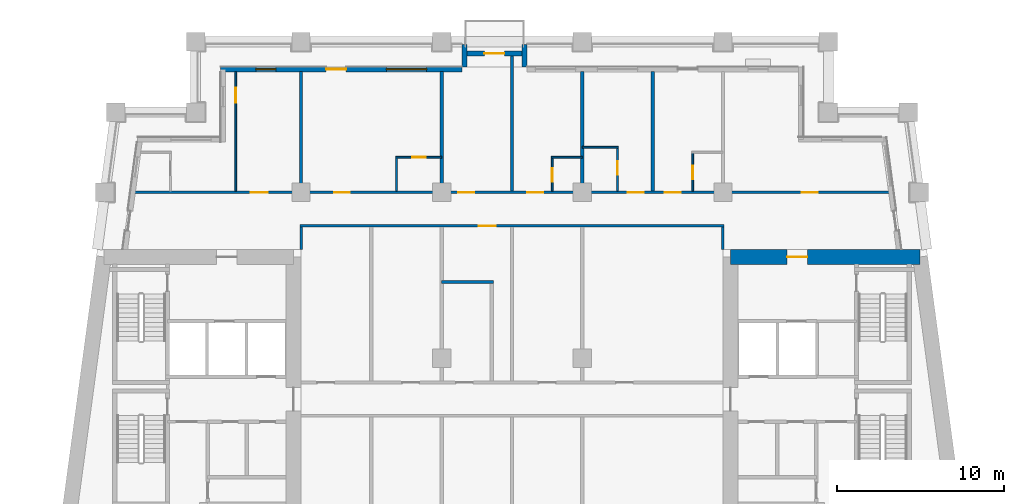
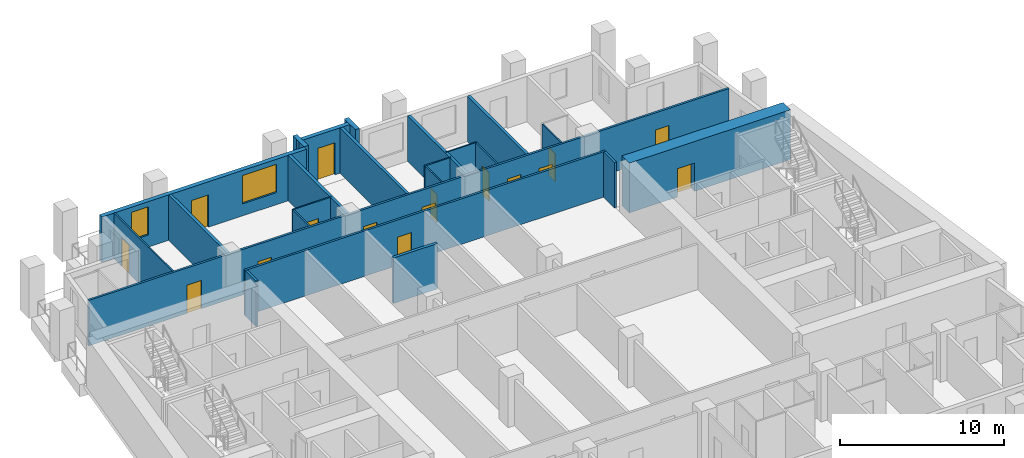
# One storey, part 7 of 13: 23 walls, 16 doors, 2 windows, 18 openings.
"""IFC4 building model written with IfcOpenShell, lengths in metres."""

from ifc_helpers import new_model, si_unit, direction, frame, frame_2d, origin, place, context, subcontext, project, spatial, rectangle, extrude, material, layer, layer_set, type_object, element, fill, save


model = new_model("IFC4")

# Units and contexts
model_context = context("Model", 3, precision=1e-05, world=origin(), true_north=direction((0.0, 1.0)))
body_context = subcontext(model_context, "Body", "Model", "MODEL_VIEW")
ifc_project = project(units=[si_unit("LENGTHUNIT", "METRE"), si_unit("AREAUNIT", "SQUARE_METRE"), si_unit("VOLUMEUNIT", "CUBIC_METRE"), si_unit("PLANEANGLEUNIT", "RADIAN"), si_unit("MASSUNIT", "GRAM", prefix="KILO")], contexts=[model_context])

# Site, building, storey
site_placement = place(None, origin())
site = spatial("IfcSite", under=ifc_project, at=site_placement, CompositionType="ELEMENT")
building_placement = place(site_placement, origin())
building = spatial("IfcBuilding", under=site, at=building_placement, Name="Candeia Pilgrim Tower and Theatre", CompositionType="ELEMENT")
storey_placement = place(building_placement, frame((0.0, 0.0, 177.39990234375)))
storey = spatial("IfcBuildingStorey", under=building, at=storey_placement, Name="L42", CompositionType="ELEMENT", Elevation=177.39990234375)

# Wall, opening, door
ifc_material_1 = material(Name="Concrete C60/75", Category="concrete")
ifc_layer_1 = layer(ifc_material_1, 0.89990234375)
ifc_layer_set_1 = layer_set([ifc_layer_1], Name="Core wall 900 C60/75")
wall_type_1 = type_object("IfcWallType", Name="Core wall 900 C60/75", PredefinedType="SHEAR", material=ifc_layer_set_1)
wall_1_placement = place(storey_placement, frame((126.449951171875, 131.949951171875, 0.0), z_axis=(0.0, 0.0, 1.0), x_axis=(1.0, 0.0, 0.0)))
wall_1 = element("IfcWall", 1, at=wall_1_placement, inside=storey, type_object=wall_type_1, Name="Core wall E1", PredefinedType="SHEAR", context=body_context, shape_type="SweptSolid", body=[
    extrude(rectangle(XDim=11.32568359375, YDim=0.89990234375, at=frame_2d((5.662841796875, 0.0))), origin(), (0.0, 0.0, 1.0), 3.7001953125),
])
opening_1_placement = place(wall_1_placement, frame((3.386474609375, 0.0, 0.0)))
opening_1 = element("IfcOpeningElement", 2, at=opening_1_placement, cuts=wall_1, Name="Opening L42-D066", PredefinedType="OPENING", context=body_context, shape_type="SweptSolid", body=[
    extrude(rectangle(XDim=1.199951171875, YDim=2.10009765625, at=frame_2d((0.60009765625, 1.050048828125))), frame((0.0, 0.4599609375, 0.0), z_axis=(0.0, -1.0, 0.0), x_axis=(1.0, 0.0, 0.0)), (0.0, 0.0, 1.0), 0.919921875),
])
ifc_material_2 = material(Name="Steel fire door set", Category="steel")
door_type_1 = type_object("IfcDoorType", Name="D-1200-FD60", OperationType="NOTDEFINED", PredefinedType="DOOR", material=ifc_material_2)
door_1_placement = place(opening_1_placement, origin())
door_1 = element("IfcDoor", 3, at=door_1_placement, inside=storey, type_object=door_type_1, Name="Door L42-D066", OperationType="SINGLE_SWING_RIGHT", OverallHeight=2.10009765625, OverallWidth=1.199951171875, PredefinedType="DOOR", context=body_context, shape_type="SweptSolid", body=[
    extrude(rectangle(XDim=1.199951171875, YDim=2.10009765625, at=frame_2d((0.60009765625, 1.050048828125))), frame((0.0, 0.02490234375, 0.0), z_axis=(0.0, -1.0, 0.0), x_axis=(1.0, 0.0, 0.0)), (0.0, 0.0, 1.0), 0.050048828125),
])
fill(opening_1, door_1)

# Wall, openings, door, windows
ifc_material_3 = material(Name="Ceramic block masonry", Category="masonry")
ifc_layer_2 = layer(ifc_material_3, 0.300048828125)
ifc_layer_set_2 = layer_set([ifc_layer_2], Name="EW1 glazing-line wall 300")
wall_type_2 = type_object("IfcWallType", Name="EW1 glazing-line wall 300", PredefinedType="SOLIDWALL", material=ifc_layer_set_2)
wall_2_placement = place(storey_placement, frame((110.39990234375, 143.14990234375, 0.0), z_axis=(0.0, 0.0, 1.0), x_axis=(-1.0, 0.0, 0.0)))
wall_2 = element("IfcWall", 4, at=wall_2_placement, inside=storey, type_object=wall_type_2, Name="External wall L42-6.1", PredefinedType="SOLIDWALL", context=body_context, shape_type="SweptSolid", body=[
    extrude(rectangle(XDim=14.39990234375, YDim=0.300048828125, at=frame_2d((7.199951171875, 0.0))), origin(), (0.0, 0.0, 1.0), 3.380126953125),
])
opening_2_placement = place(wall_2_placement, frame((2.10009765625, 0.0, 0.89990234375)))
opening_2 = element("IfcOpeningElement", 5, at=opening_2_placement, cuts=wall_2, Name="Opening W-A", PredefinedType="OPENING", context=body_context, shape_type="SweptSolid", body=[
    extrude(rectangle(XDim=2.39990234375, YDim=2.10009765625, at=frame_2d((1.199951171875, 1.050048828125))), frame((0.0, 0.16015625, 0.0), z_axis=(0.0, -1.0, 0.0), x_axis=(1.0, 0.0, 0.0)), (0.0, 0.0, 1.0), 0.320068359375),
])
opening_3_placement = place(wall_2_placement, frame((6.89990234375, 0.0, 0.0)))
opening_3 = element("IfcOpeningElement", 6, at=opening_3_placement, cuts=wall_2, Name="Opening L42-ED406", PredefinedType="OPENING", context=body_context, shape_type="SweptSolid", body=[
    extrude(rectangle(XDim=1.199951171875, YDim=2.39990234375, at=frame_2d((0.60009765625, 1.199951171875))), frame((0.0, 0.16015625, 0.0), z_axis=(0.0, -1.0, 0.0), x_axis=(1.0, 0.0, 0.0)), (0.0, 0.0, 1.0), 0.320068359375),
])
opening_4_placement = place(wall_2_placement, frame((11.10009765625, 0.0, 0.89990234375)))
opening_4 = element("IfcOpeningElement", 7, at=opening_4_placement, cuts=wall_2, Name="Opening W-B", PredefinedType="OPENING", context=body_context, shape_type="SweptSolid", body=[
    extrude(rectangle(XDim=1.199951171875, YDim=2.10009765625, at=frame_2d((0.60009765625, 1.050048828125))), frame((0.0, 0.16015625, 0.0), z_axis=(0.0, -1.0, 0.0), x_axis=(1.0, 0.0, 0.0)), (0.0, 0.0, 1.0), 0.320068359375),
])
ifc_material_4 = material(Name="Aluminium framed glazed door", Category="aluminium")
door_type_2 = type_object("IfcDoorType", Name="Loggia door 1200x2400", OperationType="DOUBLE_DOOR_SINGLE_SWING", PredefinedType="DOOR", material=ifc_material_4)
door_2_placement = place(opening_3_placement, origin())
door_2 = element("IfcDoor", 8, at=door_2_placement, inside=storey, type_object=door_type_2, Name="Loggia door L42-ED406", OperationType="DOUBLE_DOOR_SINGLE_SWING", OverallHeight=2.39990234375, OverallWidth=1.199951171875, PredefinedType="DOOR", context=body_context, shape_type="SweptSolid", body=[
    extrude(rectangle(XDim=1.199951171875, YDim=2.39990234375, at=frame_2d((0.60009765625, 1.199951171875))), frame((0.0, 0.02490234375, 0.0), z_axis=(0.0, -1.0, 0.0), x_axis=(1.0, 0.0, 0.0)), (0.0, 0.0, 1.0), 0.050048828125),
])
fill(opening_3, door_2)
ifc_material_5 = material(Name="Aluminium framed double glazing", Category="aluminium")
window_type_1 = type_object("IfcWindowType", Name="W-A window 2400x2100", PartitioningType="DOUBLE_PANEL_VERTICAL", PredefinedType="WINDOW", material=ifc_material_5)
window_1_placement = place(opening_2_placement, origin())
window_1 = element("IfcWindow", 9, at=window_1_placement, inside=storey, type_object=window_type_1, Name="Window W-A L42", OverallHeight=2.10009765625, OverallWidth=2.39990234375, PartitioningType="SINGLE_PANEL", PredefinedType="WINDOW", context=body_context, shape_type="SweptSolid", body=[
    extrude(rectangle(XDim=2.39990234375, YDim=2.10009765625, at=frame_2d((1.199951171875, 1.050048828125))), frame((0.0, 0.030029296875, 0.0), z_axis=(0.0, -1.0, 0.0), x_axis=(1.0, 0.0, 0.0)), (0.0, 0.0, 1.0), 0.06005859375),
])
fill(opening_2, window_1)
window_type_2 = type_object("IfcWindowType", Name="W-B window 1200x2100", PartitioningType="SINGLE_PANEL", PredefinedType="WINDOW", material=ifc_material_5)
window_2_placement = place(opening_4_placement, origin())
window_2 = element("IfcWindow", 10, at=window_2_placement, inside=storey, type_object=window_type_2, Name="Window W-B L42", OverallHeight=2.10009765625, OverallWidth=1.199951171875, PartitioningType="SINGLE_PANEL", PredefinedType="WINDOW", context=body_context, shape_type="SweptSolid", body=[
    extrude(rectangle(XDim=1.199951171875, YDim=2.10009765625, at=frame_2d((0.60009765625, 1.050048828125))), frame((0.0, 0.030029296875, 0.0), z_axis=(0.0, -1.0, 0.0), x_axis=(1.0, 0.0, 0.0)), (0.0, 0.0, 1.0), 0.06005859375),
])
fill(opening_4, window_2)

# Walls
ifc_layer_3 = layer(ifc_material_3, 0.300048828125)
ifc_layer_set_3 = layer_set([ifc_layer_3], Name="EW2 entrance infill wall 300")
wall_type_3 = type_object("IfcWallType", Name="EW2 entrance infill wall 300", PredefinedType="SOLIDWALL", material=ifc_layer_set_3)
for number, where, z_axis, x_axis, name in (
    (11, (114.14990234375, 143.300048828125, 0.0), (0.0, 0.0, 1.0), (0.0, 1.0, 0.0), "Alcove wall L42"),
    (12, (110.550048828125, 143.300048828125, 0.0), (0.0, 0.0, 1.0), (0.0, 1.0, 0.0), "Alcove wall L42"),
):
    element("IfcWall", number, at=place(storey_placement, frame(where, z_axis=z_axis, x_axis=x_axis)), inside=storey, type_object=wall_type_3, Name=name, PredefinedType="SOLIDWALL", context=body_context, shape_type="SweptSolid", body=[
        extrude(rectangle(XDim=1.349853515625, YDim=0.300048828125, at=frame_2d((0.6748046875, 0.0))), origin(), (0.0, 0.0, 1.0), 3.380126953125),
    ])

# Wall, opening, door
wall_3_placement = place(storey_placement, frame((114.300048828125, 144.10009765625, 0.0), z_axis=(0.0, 0.0, 1.0), x_axis=(-1.0, 0.0, 0.0)))
wall_3 = element("IfcWall", 13, at=wall_3_placement, inside=storey, type_object=wall_type_3, Name="Alcove wall L42", PredefinedType="SOLIDWALL", context=body_context, shape_type="SweptSolid", body=[
    extrude(rectangle(XDim=3.900146484375, YDim=0.300048828125, at=frame_2d((1.9501953125, 0.0))), origin(), (0.0, 0.0, 1.0), 3.380126953125),
])
opening_5_placement = place(wall_3_placement, frame((1.35009765625, 0.0, 0.0)))
opening_5 = element("IfcOpeningElement", 14, at=opening_5_placement, cuts=wall_3, Name="Opening L42-ED407", PredefinedType="OPENING", context=body_context, shape_type="SweptSolid", body=[
    extrude(rectangle(XDim=1.199951171875, YDim=2.39990234375, at=frame_2d((0.60009765625, 1.199951171875))), frame((0.0, 0.16015625, 0.0), z_axis=(0.0, -1.0, 0.0), x_axis=(1.0, 0.0, 0.0)), (0.0, 0.0, 1.0), 0.320068359375),
])
door_3_placement = place(opening_5_placement, origin())
door_3 = element("IfcDoor", 15, at=door_3_placement, inside=storey, type_object=door_type_2, Name="Balcony door L42-ED407", OperationType="DOUBLE_DOOR_SINGLE_SWING", OverallHeight=2.39990234375, OverallWidth=1.199951171875, PredefinedType="DOOR", context=body_context, shape_type="SweptSolid", body=[
    extrude(rectangle(XDim=1.199951171875, YDim=2.39990234375, at=frame_2d((0.60009765625, 1.199951171875))), frame((0.0, 0.02490234375, 0.0), z_axis=(0.0, -1.0, 0.0), x_axis=(1.0, 0.0, 0.0)), (0.0, 0.0, 1.0), 0.050048828125),
])
fill(opening_5, door_3)

ifc_material_6 = material(Name="Gypsum board partition on steel studs", Category="steel")
ifc_layer_4 = layer(ifc_material_6, 0.10009765625)
ifc_layer_set_4 = layer_set([ifc_layer_4], Name="PW-100 room partition")
wall_type_4 = type_object("IfcWallType", Name="PW-100 room partition", PredefinedType="PARTITIONING", material=ifc_layer_set_4)
wall_4_placement = place(storey_placement, frame((106.449951171875, 137.89990234375, 0.0), z_axis=(0.0, 0.0, 1.0), x_axis=(1.0, 0.0, 0.0)))
wall_4 = element("IfcWall", 16, at=wall_4_placement, inside=storey, type_object=wall_type_4, Name="Room partition L42-046", PredefinedType="PARTITIONING", context=body_context, shape_type="SweptSolid", body=[
    extrude(rectangle(XDim=2.75, YDim=0.10009765625, at=frame_2d((1.375, 0.0))), origin(), (0.0, 0.0, 1.0), 3.380126953125),
])
opening_6_placement = place(wall_4_placement, frame((1.0, 0.0, 0.0)))
opening_6 = element("IfcOpeningElement", 17, at=opening_6_placement, cuts=wall_4, Name="Opening L42-D042", PredefinedType="OPENING", context=body_context, shape_type="SweptSolid", body=[
    extrude(rectangle(XDim=0.800048828125, YDim=2.10009765625, at=frame_2d((0.39990234375, 1.050048828125))), frame((0.0, 0.06005859375, 0.0), z_axis=(0.0, -1.0, 0.0), x_axis=(1.0, 0.0, 0.0)), (0.0, 0.0, 1.0), 0.1201171875),
])
ifc_material_7 = material(Name="Timber door leaf", Category="wood")
door_type_3 = type_object("IfcDoorType", Name="D-800", OperationType="NOTDEFINED", PredefinedType="DOOR", material=ifc_material_7)
door_4_placement = place(opening_6_placement, origin())
door_4 = element("IfcDoor", 18, at=door_4_placement, inside=storey, type_object=door_type_3, Name="Door L42-D042", OperationType="SINGLE_SWING_RIGHT", OverallHeight=2.10009765625, OverallWidth=0.800048828125, PredefinedType="DOOR", context=body_context, shape_type="SweptSolid", body=[
    extrude(rectangle(XDim=0.800048828125, YDim=2.10009765625, at=frame_2d((0.39990234375, 1.050048828125))), frame((0.0, 0.02490234375, 0.0), z_axis=(0.0, -1.0, 0.0), x_axis=(1.0, 0.0, 0.0)), (0.0, 0.0, 1.0), 0.050048828125),
])
fill(opening_6, door_4)

# Walls
wall_5_placement = place(storey_placement, frame((115.75, 137.89990234375, 0.0), z_axis=(0.0, 0.0, 1.0), x_axis=(1.0, 0.0, 0.0)))
element("IfcWall", 19, at=wall_5_placement, inside=storey, type_object=wall_type_4, Name="Room partition L42-047", PredefinedType="PARTITIONING", context=body_context, shape_type="SweptSolid", body=[
    extrude(rectangle(XDim=1.85009765625, YDim=0.10009765625, at=frame_2d((0.925048828125, 0.0))), origin(), (0.0, 0.0, 1.0), 3.380126953125),
])
wall_6_placement = place(storey_placement, frame((117.60009765625, 138.5, 0.0), z_axis=(0.0, 0.0, 1.0), x_axis=(1.0, 0.0, 0.0)))
element("IfcWall", 20, at=wall_6_placement, inside=storey, type_object=wall_type_4, Name="Room partition L42-050", PredefinedType="PARTITIONING", context=body_context, shape_type="SweptSolid", body=[
    extrude(rectangle(XDim=2.14990234375, YDim=0.10009765625, at=frame_2d((1.074951171875, 0.0))), origin(), (0.0, 0.0, 1.0), 3.380126953125),
])

# Wall, opening, door
wall_7_placement = place(storey_placement, frame((96.89990234375, 135.875, 0.0), z_axis=(0.0, 0.0, 1.0), x_axis=(0.0, 1.0, 0.0)))
wall_7 = element("IfcWall", 21, at=wall_7_placement, inside=storey, type_object=wall_type_4, Name="Room partition L42-070", PredefinedType="PARTITIONING", context=body_context, shape_type="SweptSolid", body=[
    extrude(rectangle(XDim=7.135009765625, YDim=0.10009765625, at=frame_2d((3.5673828125, 0.0))), origin(), (0.0, 0.0, 1.0), 3.380126953125),
])
opening_7_placement = place(wall_7_placement, frame((5.2900390625, 0.0, 0.0)))
opening_7 = element("IfcOpeningElement", 22, at=opening_7_placement, cuts=wall_7, Name="Opening L42-D039", PredefinedType="OPENING", context=body_context, shape_type="SweptSolid", body=[
    extrude(rectangle(XDim=0.89990234375, YDim=2.10009765625, at=frame_2d((0.449951171875, 1.050048828125))), frame((0.0, 0.06005859375, 0.0), z_axis=(0.0, -1.0, 0.0), x_axis=(1.0, 0.0, 0.0)), (0.0, 0.0, 1.0), 0.1201171875),
])
door_type_4 = type_object("IfcDoorType", Name="D-900", OperationType="NOTDEFINED", PredefinedType="DOOR", material=ifc_material_7)
door_5_placement = place(opening_7_placement, origin())
door_5 = element("IfcDoor", 23, at=door_5_placement, inside=storey, type_object=door_type_4, Name="Door L42-D039", OperationType="SINGLE_SWING_LEFT", OverallHeight=2.10009765625, OverallWidth=0.89990234375, PredefinedType="DOOR", context=body_context, shape_type="SweptSolid", body=[
    extrude(rectangle(XDim=0.89990234375, YDim=2.10009765625, at=frame_2d((0.449951171875, 1.050048828125))), frame((0.0, 0.02490234375, 0.0), z_axis=(0.0, -1.0, 0.0), x_axis=(1.0, 0.0, 0.0)), (0.0, 0.0, 1.0), 0.050048828125),
])
fill(opening_7, door_5)

# Wall
wall_8_placement = place(storey_placement, frame((106.5, 135.875, 0.0), z_axis=(0.0, 0.0, 1.0), x_axis=(0.0, 1.0, 0.0)))
element("IfcWall", 24, at=wall_8_placement, inside=storey, type_object=wall_type_4, Name="Room partition L42-084", PredefinedType="PARTITIONING", context=body_context, shape_type="SweptSolid", body=[
    extrude(rectangle(XDim=1.97509765625, YDim=0.10009765625, at=frame_2d((0.987548828125, 0.0))), origin(), (0.0, 0.0, 1.0), 3.380126953125),
])

# Wall, opening, door
wall_9_placement = place(storey_placement, frame((115.800048828125, 135.875, 0.0), z_axis=(0.0, 0.0, 1.0), x_axis=(0.0, 1.0, 0.0)))
wall_9 = element("IfcWall", 25, at=wall_9_placement, inside=storey, type_object=wall_type_4, Name="Room partition L42-093", PredefinedType="PARTITIONING", context=body_context, shape_type="SweptSolid", body=[
    extrude(rectangle(XDim=1.97509765625, YDim=0.10009765625, at=frame_2d((0.987548828125, 0.0))), origin(), (0.0, 0.0, 1.0), 3.380126953125),
])
opening_8_placement = place(wall_9_placement, frame((0.574951171875, 0.0, 0.0)))
opening_8 = element("IfcOpeningElement", 26, at=opening_8_placement, cuts=wall_9, Name="Opening L42-D045", PredefinedType="OPENING", context=body_context, shape_type="SweptSolid", body=[
    extrude(rectangle(XDim=0.800048828125, YDim=2.10009765625, at=frame_2d((0.39990234375, 1.050048828125))), frame((0.0, 0.06005859375, 0.0), z_axis=(0.0, -1.0, 0.0), x_axis=(1.0, 0.0, 0.0)), (0.0, 0.0, 1.0), 0.1201171875),
])
door_6_placement = place(opening_8_placement, origin())
door_6 = element("IfcDoor", 27, at=door_6_placement, inside=storey, type_object=door_type_3, Name="Door L42-D045", OperationType="SINGLE_SWING_LEFT", OverallHeight=2.10009765625, OverallWidth=0.800048828125, PredefinedType="DOOR", context=body_context, shape_type="SweptSolid", body=[
    extrude(rectangle(XDim=0.800048828125, YDim=2.10009765625, at=frame_2d((0.39990234375, 1.050048828125))), frame((0.0, 0.02490234375, 0.0), z_axis=(0.0, -1.0, 0.0), x_axis=(1.0, 0.0, 0.0)), (0.0, 0.0, 1.0), 0.050048828125),
])
fill(opening_8, door_6)

wall_10_placement = place(storey_placement, frame((119.699951171875, 135.875, 0.0), z_axis=(0.0, 0.0, 1.0), x_axis=(0.0, 1.0, 0.0)))
wall_10 = element("IfcWall", 28, at=wall_10_placement, inside=storey, type_object=wall_type_4, Name="Room partition L42-099", PredefinedType="PARTITIONING", context=body_context, shape_type="SweptSolid", body=[
    extrude(rectangle(XDim=2.574951171875, YDim=0.10009765625, at=frame_2d((1.28759765625, 0.0))), origin(), (0.0, 0.0, 1.0), 3.380126953125),
])
opening_9_placement = place(wall_10_placement, frame((0.9951171875, 0.0, 0.0)))
opening_9 = element("IfcOpeningElement", 29, at=opening_9_placement, cuts=wall_10, Name="Opening L42-D047", PredefinedType="OPENING", context=body_context, shape_type="SweptSolid", body=[
    extrude(rectangle(XDim=0.800048828125, YDim=2.10009765625, at=frame_2d((0.39990234375, 1.050048828125))), frame((0.0, 0.06005859375, 0.0), z_axis=(0.0, -1.0, 0.0), x_axis=(1.0, 0.0, 0.0)), (0.0, 0.0, 1.0), 0.1201171875),
])
door_7_placement = place(opening_9_placement, origin())
door_7 = element("IfcDoor", 30, at=door_7_placement, inside=storey, type_object=door_type_3, Name="Door L42-D047", OperationType="SINGLE_SWING_LEFT", OverallHeight=2.10009765625, OverallWidth=0.800048828125, PredefinedType="DOOR", context=body_context, shape_type="SweptSolid", body=[
    extrude(rectangle(XDim=0.800048828125, YDim=2.10009765625, at=frame_2d((0.39990234375, 1.050048828125))), frame((0.0, 0.02490234375, 0.0), z_axis=(0.0, -1.0, 0.0), x_axis=(1.0, 0.0, 0.0)), (0.0, 0.0, 1.0), 0.050048828125),
])
fill(opening_9, door_7)

wall_11_placement = place(storey_placement, frame((124.199951171875, 135.875, 0.0), z_axis=(0.0, 0.0, 1.0), x_axis=(0.0, 1.0, 0.0)))
wall_11 = element("IfcWall", 31, at=wall_11_placement, inside=storey, type_object=wall_type_4, Name="Room partition L42-103", PredefinedType="PARTITIONING", context=body_context, shape_type="SweptSolid", body=[
    extrude(rectangle(XDim=2.27490234375, YDim=0.10009765625, at=frame_2d((1.137451171875, 0.0))), origin(), (0.0, 0.0, 1.0), 3.380126953125),
])
opening_10_placement = place(wall_11_placement, frame((0.72509765625, 0.0, 0.0)))
opening_10 = element("IfcOpeningElement", 32, at=opening_10_placement, cuts=wall_11, Name="Opening L42-D049", PredefinedType="OPENING", context=body_context, shape_type="SweptSolid", body=[
    extrude(rectangle(XDim=0.800048828125, YDim=2.10009765625, at=frame_2d((0.39990234375, 1.050048828125))), frame((0.0, 0.06005859375, 0.0), z_axis=(0.0, -1.0, 0.0), x_axis=(1.0, 0.0, 0.0)), (0.0, 0.0, 1.0), 0.1201171875),
])
door_8_placement = place(opening_10_placement, origin())
door_8 = element("IfcDoor", 33, at=door_8_placement, inside=storey, type_object=door_type_3, Name="Door L42-D049", OperationType="SINGLE_SWING_LEFT", OverallHeight=2.10009765625, OverallWidth=0.800048828125, PredefinedType="DOOR", context=body_context, shape_type="SweptSolid", body=[
    extrude(rectangle(XDim=0.800048828125, YDim=2.10009765625, at=frame_2d((0.39990234375, 1.050048828125))), frame((0.0, 0.02490234375, 0.0), z_axis=(0.0, -1.0, 0.0), x_axis=(1.0, 0.0, 0.0)), (0.0, 0.0, 1.0), 0.050048828125),
])
fill(opening_10, door_8)

ifc_layer_5 = layer(ifc_material_6, 0.14990234375)
ifc_layer_set_5 = layer_set([ifc_layer_5], Name="PW-150 unit wall")
wall_type_5 = type_object("IfcWallType", Name="PW-150 unit wall", PredefinedType="PARTITIONING", material=ifc_layer_set_5)
wall_12_placement = place(storey_placement, frame((100.72509765625, 133.800048828125, 0.0), z_axis=(0.0, 0.0, 1.0), x_axis=(1.0, 0.0, 0.0)))
wall_12 = element("IfcWall", 34, at=wall_12_placement, inside=storey, type_object=wall_type_5, Name="Unit wall L42-044", PredefinedType="PARTITIONING", context=body_context, shape_type="SweptSolid", body=[
    extrude(rectangle(XDim=25.349853515625, YDim=0.14990234375, at=frame_2d((12.6748046875, 0.0))), origin(), (0.0, 0.0, 1.0), 3.380126953125),
])
opening_11_placement = place(wall_12_placement, frame((10.699951171875, 0.0, 0.0)))
opening_11 = element("IfcOpeningElement", 35, at=opening_11_placement, cuts=wall_12, Name="Opening L42-D051", PredefinedType="OPENING", context=body_context, shape_type="SweptSolid", body=[
    extrude(rectangle(XDim=1.0, YDim=2.10009765625, at=frame_2d((0.5, 1.050048828125))), frame((0.0, 0.0849609375, 0.0), z_axis=(0.0, -1.0, 0.0), x_axis=(1.0, 0.0, 0.0)), (0.0, 0.0, 1.0), 0.169921875),
])
door_type_5 = type_object("IfcDoorType", Name="D-1000-FD30S", OperationType="NOTDEFINED", PredefinedType="DOOR", material=ifc_material_2)
door_9_placement = place(opening_11_placement, origin())
door_9 = element("IfcDoor", 36, at=door_9_placement, inside=storey, type_object=door_type_5, Name="Door L42-D051", OperationType="SINGLE_SWING_LEFT", OverallHeight=2.10009765625, OverallWidth=1.0, PredefinedType="DOOR", context=body_context, shape_type="SweptSolid", body=[
    extrude(rectangle(XDim=1.0, YDim=2.10009765625, at=frame_2d((0.5, 1.050048828125))), frame((0.0, 0.02490234375, 0.0), z_axis=(0.0, -1.0, 0.0), x_axis=(1.0, 0.0, 0.0)), (0.0, 0.0, 1.0), 0.050048828125),
])
fill(opening_11, door_9)

# Wall, openings, doors
wall_13_placement = place(storey_placement, frame((90.89453125, 135.800048828125, 0.0), z_axis=(0.0, 0.0, 1.0), x_axis=(1.0, 0.0, 0.0)))
wall_13 = element("IfcWall", 37, at=wall_13_placement, inside=storey, type_object=wall_type_5, Name="Unit wall L42-045", PredefinedType="PARTITIONING", context=body_context, shape_type="SweptSolid", body=[
    extrude(rectangle(XDim=45.010986328125, YDim=0.14990234375, at=frame_2d((22.50537109375, 0.0))), origin(), (0.0, 0.0, 1.0), 3.380126953125),
])
opening_12_placement = place(wall_13_placement, frame((6.905517578125, 0.0, 0.0)))
opening_12 = element("IfcOpeningElement", 38, at=opening_12_placement, cuts=wall_13, Name="Opening L42-D038", PredefinedType="OPENING", context=body_context, shape_type="SweptSolid", body=[
    extrude(rectangle(XDim=1.0, YDim=2.10009765625, at=frame_2d((0.5, 1.050048828125))), frame((0.0, 0.0849609375, 0.0), z_axis=(0.0, -1.0, 0.0), x_axis=(1.0, 0.0, 0.0)), (0.0, 0.0, 1.0), 0.169921875),
])
opening_13_placement = place(wall_13_placement, frame((11.87548828125, 0.0, 0.0)))
opening_13 = element("IfcOpeningElement", 39, at=opening_13_placement, cuts=wall_13, Name="Opening L42-D041", PredefinedType="OPENING", context=body_context, shape_type="SweptSolid", body=[
    extrude(rectangle(XDim=0.949951171875, YDim=2.10009765625, at=frame_2d((0.47509765625, 1.050048828125))), frame((0.0, 0.0849609375, 0.0), z_axis=(0.0, -1.0, 0.0), x_axis=(1.0, 0.0, 0.0)), (0.0, 0.0, 1.0), 0.169921875),
])
opening_14_placement = place(wall_13_placement, frame((19.29248046875, 0.0, 0.0)))
opening_14 = element("IfcOpeningElement", 40, at=opening_14_placement, cuts=wall_13, Name="Opening L42-D043", PredefinedType="OPENING", context=body_context, shape_type="SweptSolid", body=[
    extrude(rectangle(XDim=0.949951171875, YDim=2.10009765625, at=frame_2d((0.47509765625, 1.050048828125))), frame((0.0, 0.0849609375, 0.0), z_axis=(0.0, -1.0, 0.0), x_axis=(1.0, 0.0, 0.0)), (0.0, 0.0, 1.0), 0.169921875),
])
opening_15_placement = place(wall_13_placement, frame((23.41845703125, 0.0, 0.0)))
opening_15 = element("IfcOpeningElement", 41, at=opening_15_placement, cuts=wall_13, Name="Opening L42-D044", PredefinedType="OPENING", context=body_context, shape_type="SweptSolid", body=[
    extrude(rectangle(XDim=0.949951171875, YDim=2.10009765625, at=frame_2d((0.47509765625, 1.050048828125))), frame((0.0, 0.0849609375, 0.0), z_axis=(0.0, -1.0, 0.0), x_axis=(1.0, 0.0, 0.0)), (0.0, 0.0, 1.0), 0.169921875),
])
opening_16_placement = place(wall_13_placement, frame((29.42529296875, 0.0, 0.0)))
opening_16 = element("IfcOpeningElement", 42, at=opening_16_placement, cuts=wall_13, Name="Opening L42-D046", PredefinedType="OPENING", context=body_context, shape_type="SweptSolid", body=[
    extrude(rectangle(XDim=0.949951171875, YDim=2.10009765625, at=frame_2d((0.47509765625, 1.050048828125))), frame((0.0, 0.0849609375, 0.0), z_axis=(0.0, -1.0, 0.0), x_axis=(1.0, 0.0, 0.0)), (0.0, 0.0, 1.0), 0.169921875),
])
opening_17_placement = place(wall_13_placement, frame((31.63037109375, 0.0, 0.0)))
opening_17 = element("IfcOpeningElement", 43, at=opening_17_placement, cuts=wall_13, Name="Opening L42-D048", PredefinedType="OPENING", context=body_context, shape_type="SweptSolid", body=[
    extrude(rectangle(XDim=0.949951171875, YDim=2.10009765625, at=frame_2d((0.47509765625, 1.050048828125))), frame((0.0, 0.0849609375, 0.0), z_axis=(0.0, -1.0, 0.0), x_axis=(1.0, 0.0, 0.0)), (0.0, 0.0, 1.0), 0.169921875),
])
opening_18_placement = place(wall_13_placement, frame((39.814453125, 0.0, 0.0)))
opening_18 = element("IfcOpeningElement", 44, at=opening_18_placement, cuts=wall_13, Name="Opening L42-D050", PredefinedType="OPENING", context=body_context, shape_type="SweptSolid", body=[
    extrude(rectangle(XDim=0.949951171875, YDim=2.10009765625, at=frame_2d((0.47509765625, 1.050048828125))), frame((0.0, 0.0849609375, 0.0), z_axis=(0.0, -1.0, 0.0), x_axis=(1.0, 0.0, 0.0)), (0.0, 0.0, 1.0), 0.169921875),
])
door_10_placement = place(opening_12_placement, origin())
door_10 = element("IfcDoor", 45, at=door_10_placement, inside=storey, type_object=door_type_5, Name="Door L42-D038", OperationType="SINGLE_SWING_RIGHT", OverallHeight=2.10009765625, OverallWidth=1.0, PredefinedType="DOOR", context=body_context, shape_type="SweptSolid", body=[
    extrude(rectangle(XDim=1.0, YDim=2.10009765625, at=frame_2d((0.5, 1.050048828125))), frame((0.0, 0.02490234375, 0.0), z_axis=(0.0, -1.0, 0.0), x_axis=(1.0, 0.0, 0.0)), (0.0, 0.0, 1.0), 0.050048828125),
])
fill(opening_12, door_10)
door_type_6 = type_object("IfcDoorType", Name="D-950-FD30S", OperationType="NOTDEFINED", PredefinedType="DOOR", material=ifc_material_2)
door_11_placement = place(opening_13_placement, origin())
door_11 = element("IfcDoor", 46, at=door_11_placement, inside=storey, type_object=door_type_6, Name="Door L42-D041", OperationType="SINGLE_SWING_LEFT", OverallHeight=2.10009765625, OverallWidth=0.949951171875, PredefinedType="DOOR", context=body_context, shape_type="SweptSolid", body=[
    extrude(rectangle(XDim=0.949951171875, YDim=2.10009765625, at=frame_2d((0.47509765625, 1.050048828125))), frame((0.0, 0.02490234375, 0.0), z_axis=(0.0, -1.0, 0.0), x_axis=(1.0, 0.0, 0.0)), (0.0, 0.0, 1.0), 0.050048828125),
])
fill(opening_13, door_11)
door_12_placement = place(opening_14_placement, origin())
door_12 = element("IfcDoor", 47, at=door_12_placement, inside=storey, type_object=door_type_6, Name="Door L42-D043", OperationType="SINGLE_SWING_LEFT", OverallHeight=2.10009765625, OverallWidth=0.949951171875, PredefinedType="DOOR", context=body_context, shape_type="SweptSolid", body=[
    extrude(rectangle(XDim=0.949951171875, YDim=2.10009765625, at=frame_2d((0.47509765625, 1.050048828125))), frame((0.0, 0.02490234375, 0.0), z_axis=(0.0, -1.0, 0.0), x_axis=(1.0, 0.0, 0.0)), (0.0, 0.0, 1.0), 0.050048828125),
])
fill(opening_14, door_12)
door_13_placement = place(opening_15_placement, origin())
door_13 = element("IfcDoor", 48, at=door_13_placement, inside=storey, type_object=door_type_6, Name="Door L42-D044", OperationType="SINGLE_SWING_RIGHT", OverallHeight=2.10009765625, OverallWidth=0.949951171875, PredefinedType="DOOR", context=body_context, shape_type="SweptSolid", body=[
    extrude(rectangle(XDim=0.949951171875, YDim=2.10009765625, at=frame_2d((0.47509765625, 1.050048828125))), frame((0.0, 0.02490234375, 0.0), z_axis=(0.0, -1.0, 0.0), x_axis=(1.0, 0.0, 0.0)), (0.0, 0.0, 1.0), 0.050048828125),
])
fill(opening_15, door_13)
door_14_placement = place(opening_16_placement, origin())
door_14 = element("IfcDoor", 49, at=door_14_placement, inside=storey, type_object=door_type_6, Name="Door L42-D046", OperationType="SINGLE_SWING_RIGHT", OverallHeight=2.10009765625, OverallWidth=0.949951171875, PredefinedType="DOOR", context=body_context, shape_type="SweptSolid", body=[
    extrude(rectangle(XDim=0.949951171875, YDim=2.10009765625, at=frame_2d((0.47509765625, 1.050048828125))), frame((0.0, 0.02490234375, 0.0), z_axis=(0.0, -1.0, 0.0), x_axis=(1.0, 0.0, 0.0)), (0.0, 0.0, 1.0), 0.050048828125),
])
fill(opening_16, door_14)
door_15_placement = place(opening_17_placement, origin())
door_15 = element("IfcDoor", 50, at=door_15_placement, inside=storey, type_object=door_type_6, Name="Door L42-D048", OperationType="SINGLE_SWING_RIGHT", OverallHeight=2.10009765625, OverallWidth=0.949951171875, PredefinedType="DOOR", context=body_context, shape_type="SweptSolid", body=[
    extrude(rectangle(XDim=0.949951171875, YDim=2.10009765625, at=frame_2d((0.47509765625, 1.050048828125))), frame((0.0, 0.02490234375, 0.0), z_axis=(0.0, -1.0, 0.0), x_axis=(1.0, 0.0, 0.0)), (0.0, 0.0, 1.0), 0.050048828125),
])
fill(opening_17, door_15)
door_16_placement = place(opening_18_placement, origin())
door_16 = element("IfcDoor", 51, at=door_16_placement, inside=storey, type_object=door_type_6, Name="Door L42-D050", OperationType="SINGLE_SWING_RIGHT", OverallHeight=2.10009765625, OverallWidth=0.949951171875, PredefinedType="DOOR", context=body_context, shape_type="SweptSolid", body=[
    extrude(rectangle(XDim=0.949951171875, YDim=2.10009765625, at=frame_2d((0.47509765625, 1.050048828125))), frame((0.0, 0.02490234375, 0.0), z_axis=(0.0, -1.0, 0.0), x_axis=(1.0, 0.0, 0.0)), (0.0, 0.0, 1.0), 0.050048828125),
])
fill(opening_18, door_16)

# Walls
for number, where, z_axis, x_axis, name in (
    (52, (100.800048828125, 132.39990234375, 0.0), (0.0, 0.0, 1.0), (0.0, 1.0, 0.0), "Unit wall L42-078"),
    (53, (126.0, 132.39990234375, 0.0), (0.0, 0.0, 1.0), (0.0, 1.0, 0.0), "Unit wall L42-107"),
):
    element("IfcWall", number, at=place(storey_placement, frame(where, z_axis=z_axis, x_axis=x_axis)), inside=storey, type_object=wall_type_5, Name=name, PredefinedType="PARTITIONING", context=body_context, shape_type="SweptSolid", body=[
        extrude(rectangle(XDim=1.3251953125, YDim=0.14990234375, at=frame_2d((0.66259765625, 0.0))), origin(), (0.0, 0.0, 1.0), 3.380126953125),
    ])
ifc_layer_6 = layer(ifc_material_6, 0.199951171875)
ifc_layer_set_6 = layer_set([ifc_layer_6], Name="PW-200 party wall")
wall_type_6 = type_object("IfcWallType", Name="PW-200 party wall", PredefinedType="PARTITIONING", material=ifc_layer_set_6)
wall_14_placement = place(storey_placement, frame((109.199951171875, 130.449951171875, 0.0), z_axis=(0.0, 0.0, 1.0), x_axis=(1.0, 0.0, 0.0)))
element("IfcWall", 54, at=wall_14_placement, inside=storey, type_object=wall_type_6, Name="Party wall L42-041", PredefinedType="PARTITIONING", context=body_context, shape_type="SweptSolid", body=[
    extrude(rectangle(XDim=3.10009765625, YDim=0.199951171875, at=frame_2d((1.550048828125, 0.0))), origin(), (0.0, 0.0, 1.0), 3.380126953125),
])
for number, where, z_axis, x_axis, name in (
    (55, (100.800048828125, 135.875, 0.0), (0.0, 0.0, 1.0), (0.0, 1.0, 0.0), "Party wall L42-076"),
    (56, (109.199951171875, 135.875, 0.0), (0.0, 0.0, 1.0), (0.0, 1.0, 0.0), "Party wall L42-088"),
):
    element("IfcWall", number, at=place(storey_placement, frame(where, z_axis=z_axis, x_axis=x_axis)), inside=storey, type_object=wall_type_6, Name=name, PredefinedType="PARTITIONING", context=body_context, shape_type="SweptSolid", body=[
        extrude(rectangle(XDim=7.135009765625, YDim=0.199951171875, at=frame_2d((3.5673828125, 0.0))), origin(), (0.0, 0.0, 1.0), 3.380126953125),
    ])
wall_15_placement = place(storey_placement, frame((113.39990234375, 135.875, 0.0), z_axis=(0.0, 0.0, 1.0), x_axis=(0.0, 1.0, 0.0)))
element("IfcWall", 57, at=wall_15_placement, inside=storey, type_object=wall_type_6, Name="Party wall L42-092", PredefinedType="PARTITIONING", context=body_context, shape_type="SweptSolid", body=[
    extrude(rectangle(XDim=8.0849609375, YDim=0.199951171875, at=frame_2d((4.04248046875, 0.0))), origin(), (0.0, 0.0, 1.0), 3.380126953125),
])
for number, where, z_axis, x_axis, name in (
    (58, (117.60009765625, 135.875, 0.0), (0.0, 0.0, 1.0), (0.0, 1.0, 0.0), "Party wall L42-097"),
    (59, (121.800048828125, 135.875, 0.0), (0.0, 0.0, 1.0), (0.0, 1.0, 0.0), "Party wall L42-101"),
):
    element("IfcWall", number, at=place(storey_placement, frame(where, z_axis=z_axis, x_axis=x_axis)), inside=storey, type_object=wall_type_6, Name=name, PredefinedType="PARTITIONING", context=body_context, shape_type="SweptSolid", body=[
        extrude(rectangle(XDim=7.135009765625, YDim=0.199951171875, at=frame_2d((3.5673828125, 0.0))), origin(), (0.0, 0.0, 1.0), 3.380126953125),
    ])

save(model, "model.ifc")
